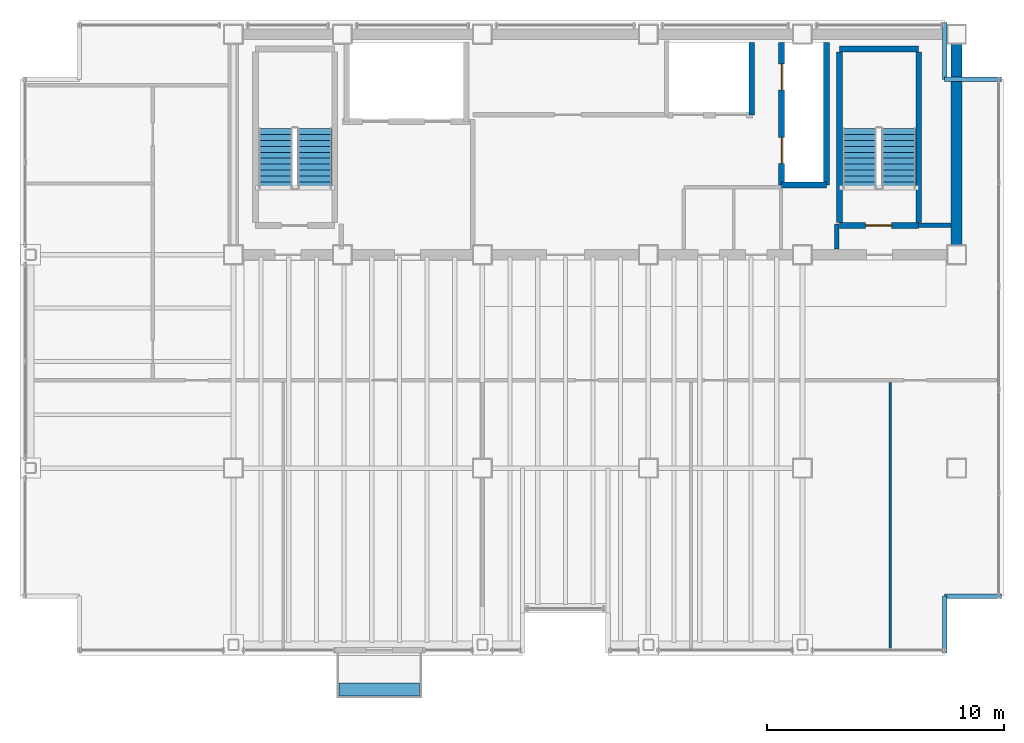
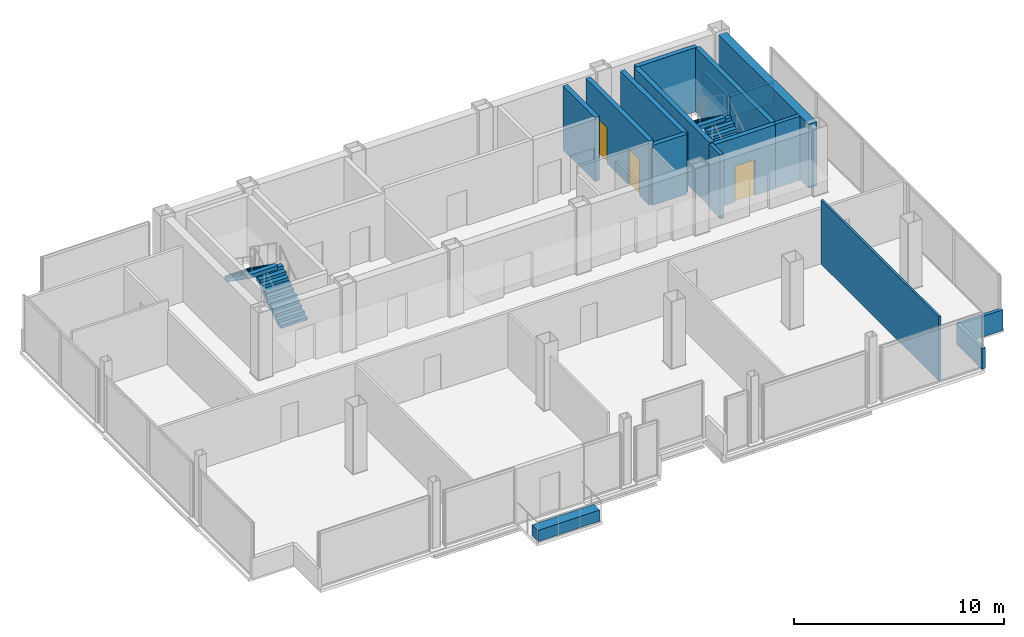
# One storey, part 15 of 16: 16 walls, 4 stair flights, 3 doors, 1 discrete accessory, 3 openings, 2 elements without a shape of their own.
"""IFC4 building model written with IfcOpenShell, lengths in metres."""

from ifc_helpers import new_model, si_unit, direction, frame, frame_2d, origin, origin_2d, place, context, subcontext, project, spatial, polyline, rectangle, outline, extrude, material, layer, layer_set, type_object, element, fill, aggregate, save


model = new_model("IFC4")

# Units and contexts
model_context = context("Model", 3, precision=1e-05, world=origin(), true_north=direction((0.0, 1.0)))
body_context = subcontext(model_context, "Body", "Model", "MODEL_VIEW")
ifc_project = project(units=[si_unit("LENGTHUNIT", "METRE"), si_unit("AREAUNIT", "SQUARE_METRE"), si_unit("VOLUMEUNIT", "CUBIC_METRE"), si_unit("PLANEANGLEUNIT", "RADIAN"), si_unit("MASSUNIT", "GRAM", prefix="KILO")], contexts=[model_context])

# Site, building, storey
site_placement = place(None, origin())
site = spatial("IfcSite", under=ifc_project, at=site_placement, CompositionType="ELEMENT")
building_placement = place(site_placement, origin())
building = spatial("IfcBuilding", under=site, at=building_placement, Name="Noeulbin Bourse Tower", CompositionType="ELEMENT")
storey_placement = place(building_placement, frame((0.0, 0.0, 238.39990234375)))
storey = spatial("IfcBuildingStorey", under=building, at=storey_placement, Name="L59", CompositionType="ELEMENT", Elevation=238.39990234375)

# Walls
ifc_material_1 = material(Name="Concrete C50/60", Category="concrete")
ifc_layer_1 = layer(ifc_material_1, 0.449951171875)
ifc_layer_set_1 = layer_set([ifc_layer_1], Name="Concrete C50/60")
wall_type_1 = type_object("IfcWallType", Name="WAL-CORE-450", PredefinedType="SHEAR", material=ifc_layer_set_1)
wall_1_placement = place(storey_placement, frame((44.0, 29.35009765625, 0.0), z_axis=(0.0, 0.0, 1.0), x_axis=(0.0, 1.0, 0.0)))
element("IfcWall", 1, at=wall_1_placement, inside=storey, type_object=wall_type_1, Name="Rear Core East Shear Wall L59", PredefinedType="SHEAR", context=body_context, shape_type="SweptSolid", body=[
    extrude(rectangle(XDim=8.599853515625, YDim=0.449951171875, at=frame_2d((4.2998046875, 0.0))), origin(), (0.0, 0.0, 1.0), 3.72021484375),
])
ifc_material_2 = material(Name="Concrete C40/50", Category="concrete")
ifc_layer_2 = layer(ifc_material_2, 0.199951171875)
ifc_layer_set_2 = layer_set([ifc_layer_2], Name="Concrete C40/50")
wall_type_2 = type_object("IfcWallType", Name="WAL-FIRE-200", PredefinedType="STANDARD", material=ifc_layer_set_2)
wall_2_placement = place(storey_placement, frame((42.39990234375, 30.239990234375, 0.0), z_axis=(0.0, 0.0, 1.0), x_axis=(1.0, 0.0, 0.0)))
element("IfcWall", 2, at=wall_2_placement, inside=storey, type_object=wall_type_2, Name="Interior Partition Wall L59-01", PredefinedType="STANDARD", context=body_context, shape_type="SweptSolid", body=[
    extrude(rectangle(XDim=1.364990234375, YDim=0.199951171875, at=frame_2d((0.6826171875, 0.0))), origin(), (0.0, 0.0, 1.0), 3.72021484375),
])
wall_3_placement = place(storey_placement, frame((38.949951171875, 29.235107421875, 0.0), z_axis=(0.0, 0.0, 1.0), x_axis=(0.0, 1.0, 0.0)))
element("IfcWall", 3, at=wall_3_placement, inside=storey, type_object=wall_type_2, Name="Interior Partition Wall L59-08", PredefinedType="STANDARD", context=body_context, shape_type="SweptSolid", body=[
    extrude(rectangle(XDim=1.06494140625, YDim=0.199951171875, at=frame_2d((0.532470703125, 0.0))), origin(), (0.0, 0.0, 1.0), 3.72021484375),
])
ifc_layer_3 = layer(ifc_material_2, 0.199951171875)
ifc_layer_set_3 = layer_set([ifc_layer_3], Name="Concrete C40/50")
wall_type_3 = type_object("IfcWallType", Name="WAL-PAR-200", PredefinedType="PARAPET", material=ifc_layer_set_3)
wall_4_placement = place(storey_placement, frame((43.5, 12.199951171875, 0.0), z_axis=(0.0, 0.0, 1.0), x_axis=(0.0, 1.0, 0.0)))
element("IfcWall", 4, at=wall_4_placement, inside=storey, type_object=wall_type_3, Name="Corner Notch Parapet L59-SE1", PredefinedType="PARAPET", context=body_context, shape_type="SweptSolid", body=[
    extrude(rectangle(XDim=2.400146484375, YDim=0.199951171875, at=frame_2d((1.2001953125, 0.0))), origin(), (0.0, 0.0, 1.0), 1.2001953125),
])
wall_5_placement = place(storey_placement, frame((43.5, 14.60009765625, 0.0), z_axis=(0.0, 0.0, 1.0), x_axis=(1.0, 0.0, 0.0)))
element("IfcWall", 5, at=wall_5_placement, inside=storey, type_object=wall_type_3, Name="Corner Notch Parapet L59-SE2", PredefinedType="PARAPET", context=body_context, shape_type="SweptSolid", body=[
    extrude(rectangle(XDim=2.39990234375, YDim=0.199951171875, at=frame_2d((1.199951171875, 0.0))), origin(), (0.0, 0.0, 1.0), 1.2001953125),
])
wall_6_placement = place(storey_placement, frame((43.5, 38.800048828125, 0.0), z_axis=(0.0, 0.0, 1.0), x_axis=(0.0, -1.0, 0.0)))
element("IfcWall", 6, at=wall_6_placement, inside=storey, type_object=wall_type_3, Name="Corner Notch Parapet L59-NE1", PredefinedType="PARAPET", context=body_context, shape_type="SweptSolid", body=[
    extrude(rectangle(XDim=2.400146484375, YDim=0.199951171875, at=frame_2d((1.2001953125, 0.0))), origin(), (0.0, 0.0, 1.0), 1.2001953125),
])
wall_7_placement = place(storey_placement, frame((43.5, 36.39990234375, 0.0), z_axis=(0.0, 0.0, 1.0), x_axis=(1.0, 0.0, 0.0)))
element("IfcWall", 7, at=wall_7_placement, inside=storey, type_object=wall_type_3, Name="Corner Notch Parapet L59-NE2", PredefinedType="PARAPET", context=body_context, shape_type="SweptSolid", body=[
    extrude(rectangle(XDim=2.39990234375, YDim=0.199951171875, at=frame_2d((1.199951171875, 0.0))), origin(), (0.0, 0.0, 1.0), 1.2001953125),
])
ifc_material_3 = material(Name="Steel Stud Gypsum Partition", Category="steel")
ifc_layer_4 = layer(ifc_material_3, 0.1201171875)
ifc_layer_set_4 = layer_set([ifc_layer_4], Name="Steel Stud Gypsum Partition")
wall_type_4 = type_object("IfcWallType", Name="WAL-PRT-120", PredefinedType="PARTITIONING", material=ifc_layer_set_4)
wall_8_placement = place(storey_placement, frame((41.199951171875, 12.409912109375, 0.0), z_axis=(0.0, 0.0, 1.0), x_axis=(0.0, 1.0, 0.0)))
element("IfcWall", 8, at=wall_8_placement, inside=storey, type_object=wall_type_4, Name="Interior Partition Wall L59-17", PredefinedType="PARTITIONING", context=body_context, shape_type="SweptSolid", body=[
    extrude(rectangle(XDim=11.205078125, YDim=0.1201171875, at=frame_2d((5.6025390625, 0.0))), origin(), (0.0, 0.0, 1.0), 3.72021484375),
])

# Wall, opening, door
ifc_layer_5 = layer(ifc_material_2, 0.25)
ifc_layer_set_5 = layer_set([ifc_layer_5], Name="Concrete C40/50")
wall_type_5 = type_object("IfcWallType", Name="WAL-SHFT-250", PredefinedType="STANDARD", material=ifc_layer_set_5)
wall_9_placement = place(storey_placement, frame((39.06005859375, 30.235107421875, 0.0), z_axis=(0.0, 0.0, 1.0), x_axis=(1.0, 0.0, 0.0)))
wall_9 = element("IfcWall", 9, at=wall_9_placement, inside=storey, type_object=wall_type_5, Name="Stair ST-2 South Shaft Wall L59", PredefinedType="STANDARD", context=body_context, shape_type="SweptSolid", body=[
    extrude(rectangle(XDim=3.33984375, YDim=0.25, at=frame_2d((1.669921875, 0.0))), origin(), (0.0, 0.0, 1.0), 3.72021484375),
])
opening_1_placement = place(wall_9_placement, frame((1.10009765625, 0.0, 0.0)))
opening_1 = element("IfcOpeningElement", 10, at=opening_1_placement, cuts=wall_9, Name="Opening FD-11", PredefinedType="OPENING", context=body_context, shape_type="SweptSolid", body=[
    extrude(rectangle(XDim=1.10009765625, YDim=2.080078125, at=frame_2d((0.550048828125, 1.0400390625))), frame((0.0, 0.135009765625, 0.0), z_axis=(0.0, -1.0, 0.0), x_axis=(1.0, 0.0, 0.0)), (0.0, 0.0, 1.0), 0.27001953125),
])
ifc_material_4 = material(Name="Fire-Rated Insulated Steel", Category="steel")
door_type_1 = type_object("IfcDoorType", Name="DR-FD60-1100", OperationType="SINGLE_SWING_LEFT", PredefinedType="DOOR", material=ifc_material_4)
door_1_placement = place(opening_1_placement, origin())
door_1 = element("IfcDoor", 11, at=door_1_placement, inside=storey, type_object=door_type_1, Name="Protected Stair Entry Door ST2-L59", OperationType="SINGLE_SWING_RIGHT", OverallHeight=2.080078125, OverallWidth=1.10009765625, PredefinedType="DOOR", context=body_context, shape_type="SweptSolid", body=[
    extrude(rectangle(XDim=1.10009765625, YDim=2.080078125, at=frame_2d((0.550048828125, 1.0400390625))), frame((0.0, 0.02490234375, 0.0), z_axis=(0.0, -1.0, 0.0), x_axis=(1.0, 0.0, 0.0)), (0.0, 0.0, 1.0), 0.050048828125),
])
fill(opening_1, door_1)

# Walls
wall_10_placement = place(storey_placement, frame((39.06005859375, 37.6689453125, 0.0), z_axis=(0.0, 0.0, 1.0), x_axis=(1.0, 0.0, 0.0)))
element("IfcWall", 12, at=wall_10_placement, inside=storey, type_object=wall_type_5, Name="Stair ST-2 North Shaft Wall L59", PredefinedType="STANDARD", context=body_context, shape_type="SweptSolid", body=[
    extrude(rectangle(XDim=3.33984375, YDim=0.25, at=frame_2d((1.669921875, 0.0))), origin(), (0.0, 0.0, 1.0), 3.72021484375),
])
for number, where, z_axis, x_axis, name in (
    (13, (39.054931640625, 30.360107421875, 0.0), (0.0, 0.0, 1.0), (0.0, 1.0, 0.0), "Stair ST-2 West Shaft Wall L59"),
    (14, (42.405029296875, 30.360107421875, 0.0), (0.0, 0.0, 1.0), (0.0, 1.0, 0.0), "Stair ST-2 East Shaft Wall L59"),
):
    element("IfcWall", number, at=place(storey_placement, frame(where, z_axis=z_axis, x_axis=x_axis)), inside=storey, type_object=wall_type_5, Name=name, PredefinedType="STANDARD", context=body_context, shape_type="SweptSolid", body=[
        extrude(rectangle(XDim=7.183837890625, YDim=0.25, at=frame_2d((3.591796875, 0.0))), origin(), (0.0, 0.0, 1.0), 3.72021484375),
    ])

# Wall, openings, doors
wall_11_placement = place(storey_placement, frame((36.6201171875, 31.949951171875, 0.0), z_axis=(0.0, 0.0, 1.0), x_axis=(0.0, 1.0, 0.0)))
wall_11 = element("IfcWall", 15, at=wall_11_placement, inside=storey, type_object=wall_type_5, Name="Service Lift Shaft Wall L59", PredefinedType="STANDARD", context=body_context, shape_type="SweptSolid", body=[
    extrude(rectangle(XDim=6.0, YDim=0.25, at=frame_2d((3.0, 0.0))), origin(), (0.0, 0.0, 1.0), 3.72021484375),
])
opening_2_placement = place(wall_11_placement, frame((0.89990234375, 0.0, 0.0)))
opening_2 = element("IfcOpeningElement", 16, at=opening_2_placement, cuts=wall_11, Name="Opening LD-11", PredefinedType="OPENING", context=body_context, shape_type="SweptSolid", body=[
    extrude(rectangle(XDim=1.10009765625, YDim=2.080078125, at=frame_2d((0.550048828125, 1.0400390625))), frame((0.0, 0.135009765625, 0.0), z_axis=(0.0, -1.0, 0.0), x_axis=(1.0, 0.0, 0.0)), (0.0, 0.0, 1.0), 0.27001953125),
])
opening_3_placement = place(wall_11_placement, frame((4.0, 0.0, 0.0)))
opening_3 = element("IfcOpeningElement", 17, at=opening_3_placement, cuts=wall_11, Name="Opening LD-11", PredefinedType="OPENING", context=body_context, shape_type="SweptSolid", body=[
    extrude(rectangle(XDim=1.10009765625, YDim=2.080078125, at=frame_2d((0.550048828125, 1.0400390625))), frame((0.0, 0.135009765625, 0.0), z_axis=(0.0, -1.0, 0.0), x_axis=(1.0, 0.0, 0.0)), (0.0, 0.0, 1.0), 0.27001953125),
])
ifc_material_5 = material(Name="Brushed Stainless Steel 316", Category="steel")
door_type_2 = type_object("IfcDoorType", Name="DR-LIFT-1100", OperationType="SLIDING_TO_LEFT", PredefinedType="DOOR", material=ifc_material_5)
door_2_placement = place(opening_2_placement, origin())
door_2 = element("IfcDoor", 18, at=door_2_placement, inside=storey, type_object=door_type_2, Name="Lift Landing Door LD-EL-01-L59", OperationType="SLIDING_TO_LEFT", OverallHeight=2.080078125, OverallWidth=1.10009765625, PredefinedType="DOOR", context=body_context, shape_type="SweptSolid", body=[
    extrude(rectangle(XDim=1.10009765625, YDim=2.080078125, at=frame_2d((0.550048828125, 1.0400390625))), frame((0.0, 0.02490234375, 0.0), z_axis=(0.0, -1.0, 0.0), x_axis=(1.0, 0.0, 0.0)), (0.0, 0.0, 1.0), 0.050048828125),
])
fill(opening_2, door_2)
door_3_placement = place(opening_3_placement, origin())
door_3 = element("IfcDoor", 19, at=door_3_placement, inside=storey, type_object=door_type_2, Name="Lift Landing Door LD-SV-01-L59", OperationType="SLIDING_TO_LEFT", OverallHeight=2.080078125, OverallWidth=1.10009765625, PredefinedType="DOOR", context=body_context, shape_type="SweptSolid", body=[
    extrude(rectangle(XDim=1.10009765625, YDim=2.080078125, at=frame_2d((0.550048828125, 1.0400390625))), frame((0.0, 0.02490234375, 0.0), z_axis=(0.0, -1.0, 0.0), x_axis=(1.0, 0.0, 0.0)), (0.0, 0.0, 1.0), 0.050048828125),
])
fill(opening_3, door_3)

# Walls
wall_12_placement = place(storey_placement, frame((38.52001953125, 31.949951171875, 0.0), z_axis=(0.0, 0.0, 1.0), x_axis=(0.0, 1.0, 0.0)))
element("IfcWall", 20, at=wall_12_placement, inside=storey, type_object=wall_type_5, Name="Service Lift East Shaft Wall L59", PredefinedType="STANDARD", context=body_context, shape_type="SweptSolid", body=[
    extrude(rectangle(XDim=6.0, YDim=0.25, at=frame_2d((3.0, 0.0))), origin(), (0.0, 0.0, 1.0), 3.47998046875),
])
wall_13_placement = place(storey_placement, frame((36.6201171875, 31.949951171875, 0.0), z_axis=(0.0, 0.0, 1.0), x_axis=(1.0, 0.0, 0.0)))
element("IfcWall", 21, at=wall_13_placement, inside=storey, type_object=wall_type_5, Name="Service Lift South Shaft Wall L59", PredefinedType="STANDARD", context=body_context, shape_type="SweptSolid", body=[
    extrude(rectangle(XDim=1.89990234375, YDim=0.25, at=frame_2d((0.949951171875, 0.0))), origin(), (0.0, 0.0, 1.0), 3.47998046875),
])
wall_14_placement = place(storey_placement, frame((35.360107421875, 34.89990234375, 0.0), z_axis=(0.0, 0.0, 1.0), x_axis=(0.0, 1.0, 0.0)))
element("IfcWall", 22, at=wall_14_placement, inside=storey, type_object=wall_type_5, Name="High-Rise Lift East Shaft Wall L59", PredefinedType="STANDARD", context=body_context, shape_type="SweptSolid", body=[
    extrude(rectangle(XDim=3.050048828125, YDim=0.25, at=frame_2d((1.52490234375, 0.0))), origin(), (0.0, 0.0, 1.0), 3.72021484375),
])

# Stair, stair flights
stair_type = type_object("IfcStairType", Name="STR-CORE-1560", PredefinedType="HALF_TURN_STAIR", material=ifc_material_2)
stair_1_placement = place(storey_placement, origin())
stair_1 = element("IfcStair", 23, at=stair_1_placement, inside=storey, type_object=stair_type, Name="L59 ST-1", PredefinedType="HALF_TURN_STAIR")
stair_flight_type = type_object("IfcStairFlightType", Name="SFL-CORE-1560", PredefinedType="STRAIGHT", material=ifc_material_2)
stair_flight_1_placement = place(storey_placement, frame((16.925048828125, 31.81005859375, 0.0), z_axis=(0.0, 0.0, 1.0), x_axis=(0.0, 1.0, 0.0)))
stair_flight_1 = element("IfcStairFlight", 24, at=stair_flight_1_placement, type_object=stair_flight_type, Name="ST-1 flight 1", NumberOfRisers=11, NumberOfTreads=10, PredefinedType="STRAIGHT", RiserHeight=0.177272727, TreadLength=0.252, context=body_context, shape_type="SweptSolid", body=[
    extrude(outline(polyline([(0.0, 0.0), (0.0, 0.17724609375), (0.251953125, 0.17724609375), (0.251953125, 0.3544921875), (0.50390625, 0.3544921875), (0.50390625, 0.53173828125), (0.756103515625, 0.53173828125), (0.756103515625, 0.708984375), (1.008056640625, 0.708984375), (1.008056640625, 0.886474609375), (1.260009765625, 0.886474609375), (1.260009765625, 1.063720703125), (1.511962890625, 1.063720703125), (1.511962890625, 1.240966796875), (1.763916015625, 1.240966796875), (1.763916015625, 1.418212890625), (2.01611328125, 1.418212890625), (2.01611328125, 1.595458984375), (2.26806640625, 1.595458984375), (2.26806640625, 1.772705078125), (2.52001953125, 1.772705078125), (2.52001953125, 1.949951171875), (2.52001953125, 1.552734375), (0.312744140625, 0.0), (0.0, 0.0)])), frame((0.0, 0.72509765625, 0.0), z_axis=(0.0, -1.0, 0.0), x_axis=(1.0, 0.0, 0.0)), (0.0, 0.0, 1.0), 1.449951171875),
])
stair_flight_2_placement = place(storey_placement, frame((15.27490234375, 34.330078125, 1.9501953125), z_axis=(0.0, 0.0, 1.0), x_axis=(0.0, -1.0, 0.0)))
stair_flight_2 = element("IfcStairFlight", 25, at=stair_flight_2_placement, type_object=stair_flight_type, Name="ST-1 flight 2", NumberOfRisers=11, NumberOfTreads=10, PredefinedType="STRAIGHT", RiserHeight=0.177272727, TreadLength=0.252, context=body_context, shape_type="SweptSolid", body=[
    extrude(outline(polyline([(0.0, 0.0), (0.0, 0.17724609375), (0.251953125, 0.17724609375), (0.251953125, 0.3544921875), (0.50390625, 0.3544921875), (0.50390625, 0.53173828125), (0.756103515625, 0.53173828125), (0.756103515625, 0.708984375), (1.008056640625, 0.708984375), (1.008056640625, 0.886474609375), (1.260009765625, 0.886474609375), (1.260009765625, 1.063720703125), (1.511962890625, 1.063720703125), (1.511962890625, 1.240966796875), (1.763916015625, 1.240966796875), (1.763916015625, 1.418212890625), (2.01611328125, 1.418212890625), (2.01611328125, 1.595458984375), (2.26806640625, 1.595458984375), (2.26806640625, 1.772705078125), (2.52001953125, 1.772705078125), (2.52001953125, 1.949951171875), (2.52001953125, 1.552734375), (0.312744140625, 0.0), (0.0, 0.0)])), frame((0.0, 0.72509765625, 0.0), z_axis=(0.0, -1.0, 0.0), x_axis=(1.0, 0.0, 0.0)), (0.0, 0.0, 1.0), 1.449951171875),
])
aggregate(stair_1, [stair_flight_1, stair_flight_2])

stair_2_placement = place(storey_placement, origin())
stair_2 = element("IfcStair", 26, at=stair_2_placement, inside=storey, type_object=stair_type, Name="L59 ST-2", PredefinedType="HALF_TURN_STAIR")
stair_flight_3_placement = place(storey_placement, frame((41.554931640625, 31.81005859375, 0.0), z_axis=(0.0, 0.0, 1.0), x_axis=(0.0, 1.0, 0.0)))
stair_flight_3 = element("IfcStairFlight", 27, at=stair_flight_3_placement, type_object=stair_flight_type, Name="ST-2 flight 1", NumberOfRisers=11, NumberOfTreads=10, PredefinedType="STRAIGHT", RiserHeight=0.177272727, TreadLength=0.252, context=body_context, shape_type="SweptSolid", body=[
    extrude(outline(polyline([(0.0, 0.0), (0.0, 0.17724609375), (0.251953125, 0.17724609375), (0.251953125, 0.3544921875), (0.50390625, 0.3544921875), (0.50390625, 0.53173828125), (0.756103515625, 0.53173828125), (0.756103515625, 0.708984375), (1.008056640625, 0.708984375), (1.008056640625, 0.886474609375), (1.260009765625, 0.886474609375), (1.260009765625, 1.063720703125), (1.511962890625, 1.063720703125), (1.511962890625, 1.240966796875), (1.763916015625, 1.240966796875), (1.763916015625, 1.418212890625), (2.01611328125, 1.418212890625), (2.01611328125, 1.595458984375), (2.26806640625, 1.595458984375), (2.26806640625, 1.772705078125), (2.52001953125, 1.772705078125), (2.52001953125, 1.949951171875), (2.52001953125, 1.552734375), (0.312744140625, 0.0), (0.0, 0.0)])), frame((0.0, 0.72509765625, 0.0), z_axis=(0.0, -1.0, 0.0), x_axis=(1.0, 0.0, 0.0)), (0.0, 0.0, 1.0), 1.449951171875),
])
stair_flight_4_placement = place(storey_placement, frame((39.905029296875, 34.330078125, 1.9501953125), z_axis=(0.0, 0.0, 1.0), x_axis=(0.0, -1.0, 0.0)))
stair_flight_4 = element("IfcStairFlight", 28, at=stair_flight_4_placement, type_object=stair_flight_type, Name="ST-2 flight 2", NumberOfRisers=11, NumberOfTreads=10, PredefinedType="STRAIGHT", RiserHeight=0.177272727, TreadLength=0.252, context=body_context, shape_type="SweptSolid", body=[
    extrude(outline(polyline([(0.0, 0.0), (0.0, 0.17724609375), (0.251953125, 0.17724609375), (0.251953125, 0.3544921875), (0.50390625, 0.3544921875), (0.50390625, 0.53173828125), (0.756103515625, 0.53173828125), (0.756103515625, 0.708984375), (1.008056640625, 0.708984375), (1.008056640625, 0.886474609375), (1.260009765625, 0.886474609375), (1.260009765625, 1.063720703125), (1.511962890625, 1.063720703125), (1.511962890625, 1.240966796875), (1.763916015625, 1.240966796875), (1.763916015625, 1.418212890625), (2.01611328125, 1.418212890625), (2.01611328125, 1.595458984375), (2.26806640625, 1.595458984375), (2.26806640625, 1.772705078125), (2.52001953125, 1.772705078125), (2.52001953125, 1.949951171875), (2.52001953125, 1.552734375), (0.312744140625, 0.0), (0.0, 0.0)])), frame((0.0, 0.72509765625, 0.0), z_axis=(0.0, -1.0, 0.0), x_axis=(1.0, 0.0, 0.0)), (0.0, 0.0, 1.0), 1.449951171875),
])
aggregate(stair_2, [stair_flight_3, stair_flight_4])

# Discrete accessory
ifc_material_6 = material(Name="Architectural GFRC Concrete C40/50", Category="concrete")
ifc_layer_6 = layer(ifc_material_6, 0.64990234375)
ifc_layer_set_6 = layer_set([ifc_layer_6], Name="Architectural GFRC Concrete C40/50")
discrete_accessory_type = type_object("IfcDiscreteAccessoryType", Name="PLANTER-BOX-3600", PredefinedType="USERDEFINED", material=ifc_layer_set_6)
discrete_accessory_placement = place(storey_placement, frame((19.64990234375, 10.659912109375, 0.000244140625), z_axis=(0.0, 0.0, 1.0), x_axis=(1.0, 0.0, 0.0)))
element("IfcDiscreteAccessory", 29, at=discrete_accessory_placement, inside=storey, type_object=discrete_accessory_type, Name="Integrated Balcony Tree Planter Box L59", ObjectType="PLANTER", PredefinedType="USERDEFINED", context=body_context, shape_type="SweptSolid", body=[
    extrude(rectangle(XDim=3.39990234375, YDim=0.550048828125, at=origin_2d()), origin(), (0.0, 0.0, 1.0), 0.64990234375),
])

save(model, "model.ifc")
